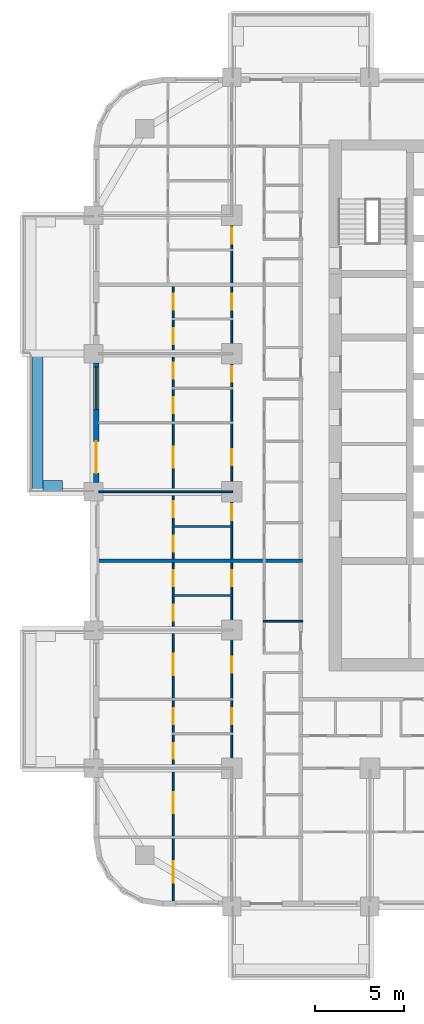
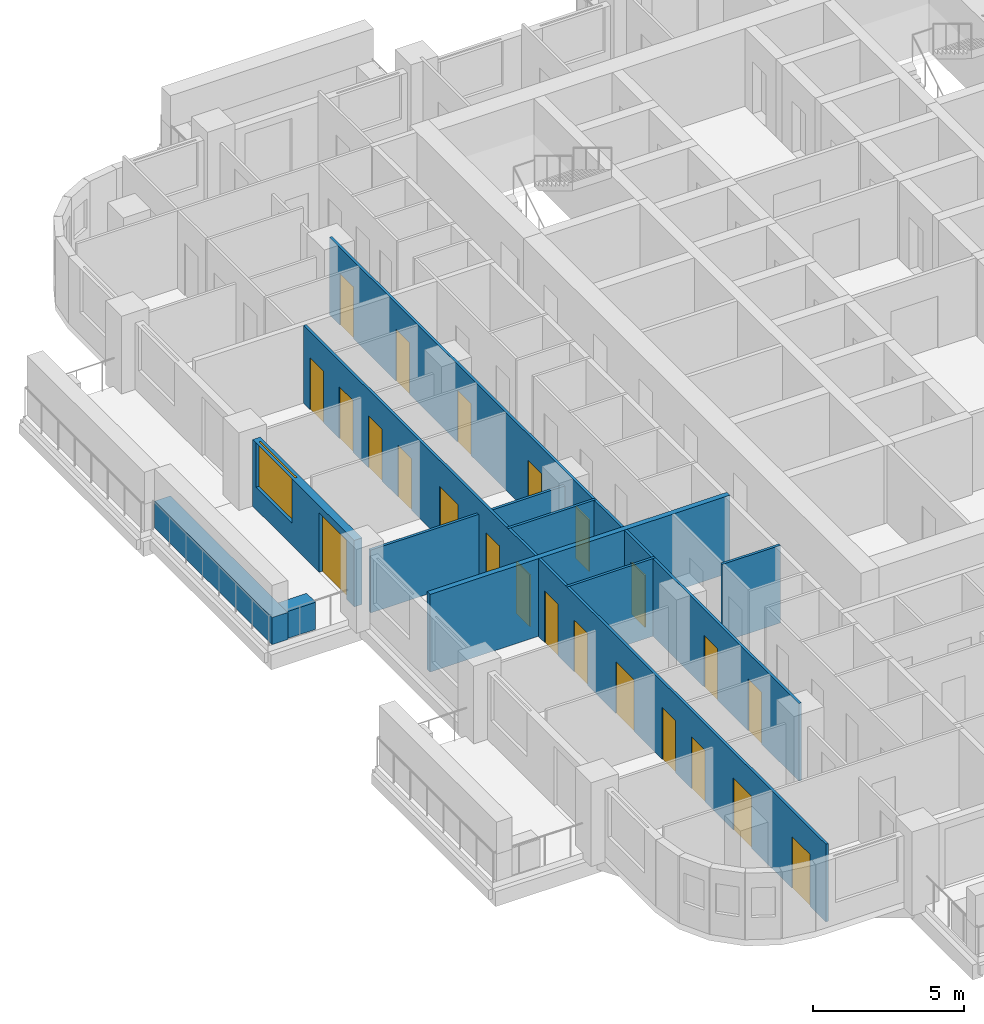
# One storey, part 5 of 18: 23 doors, 10 walls, 1 window, 24 openings.
"""IFC4 building model written with IfcOpenShell, lengths in metres."""

from ifc_helpers import new_model, si_unit, direction, frame, frame_2d, origin, place, context, subcontext, project, spatial, rectangle, extrude, material, layer, layer_set, type_object, element, fill, save


model = new_model("IFC4")

# Units and contexts
model_context = context("Model", 3, precision=1e-05, world=origin(), true_north=direction((0.0, 1.0)))
body_context = subcontext(model_context, "Body", "Model", "MODEL_VIEW")
ifc_project = project(units=[si_unit("LENGTHUNIT", "METRE"), si_unit("AREAUNIT", "SQUARE_METRE"), si_unit("VOLUMEUNIT", "CUBIC_METRE"), si_unit("PLANEANGLEUNIT", "RADIAN"), si_unit("MASSUNIT", "GRAM", prefix="KILO")], contexts=[model_context])

# Site, building, storey
site_placement = place(None, origin())
site = spatial("IfcSite", under=ifc_project, at=site_placement, CompositionType="ELEMENT")
building_placement = place(site_placement, origin())
building = spatial("IfcBuilding", under=site, at=building_placement, Name="Ludao Terraces", CompositionType="ELEMENT")
storey_placement = place(building_placement, frame((0.0, 0.0, 33.10009765625)))
storey = spatial("IfcBuildingStorey", under=building, at=storey_placement, Name="L08", CompositionType="ELEMENT", Elevation=33.10009765625)

# Walls
ifc_material_1 = material(Name="Concrete C40", Category="concrete")
ifc_layer_1 = layer(ifc_material_1, 0.60009765625)
ifc_layer_set_1 = layer_set([ifc_layer_1], Name="ENV Planter trough 600")
wall_type_1 = type_object("IfcWallType", Name="ENV Planter trough 600", PredefinedType="USERDEFINED", material=ifc_layer_set_1)
wall_1_placement = place(storey_placement, frame((58.449951171875, 65.0, 0.0), z_axis=(0.0, 0.0, 1.0), x_axis=(0.0, 1.0, 0.0)))
element("IfcWall", 1, at=wall_1_placement, inside=storey, type_object=wall_type_1, Name="PL-L08-W3", ObjectType="PLANTER", PredefinedType="USERDEFINED", context=body_context, shape_type="SweptSolid", body=[
    extrude(rectangle(XDim=7.800048828125, YDim=0.60009765625, at=frame_2d((3.89990234375, 0.0))), origin(), (0.0, 0.0, 1.0), 1.099853515625),
])
wall_2_placement = place(storey_placement, frame((58.75, 65.35009765625, 0.0), z_axis=(0.0, 0.0, 1.0), x_axis=(1.0, 0.0, 0.0)))
element("IfcWall", 2, at=wall_2_placement, inside=storey, type_object=wall_type_1, Name="PL-L08-W3-SA", ObjectType="PLANTER", PredefinedType="USERDEFINED", context=body_context, shape_type="SweptSolid", body=[
    extrude(rectangle(XDim=1.10009765625, YDim=0.60009765625, at=frame_2d((0.550048828125, 0.0))), origin(), (0.0, 0.0, 1.0), 1.099853515625),
])

# Wall, openings, door, window
ifc_material_2 = material(Name="Granite cladding", Category="masonry")
ifc_layer_2 = layer(ifc_material_2, 0.0400390625, Category="stone")
ifc_material_3 = material(Name="Mineral wool")
ifc_layer_3 = layer(ifc_material_3, 0.06005859375)
ifc_layer_4 = layer(ifc_material_1, 0.199951171875, Category="concrete")
ifc_layer_set_2 = layer_set([ifc_layer_2, ifc_layer_3, ifc_layer_4], Name="ENV Stone-clad wall 300")
wall_type_2 = type_object("IfcWallType", Name="ENV Stone-clad wall 300", PredefinedType="SOLIDWALL", material=ifc_layer_set_2)
wall_3_placement = place(storey_placement, frame((61.75, 65.52490234375, 0.0), z_axis=(0.0, 0.0, 1.0), x_axis=(0.0, 1.0, 0.0)))
wall_3 = element("IfcWall", 3, at=wall_3_placement, inside=storey, type_object=wall_type_2, Name="EW-L08-W4", PredefinedType="SOLIDWALL", context=body_context, shape_type="SweptSolid", body=[
    extrude(rectangle(XDim=6.75, YDim=0.300048828125, at=frame_2d((3.375, 0.0))), origin(), (0.0, 0.0, 1.0), 2.699951171875),
])
opening_1_placement = place(wall_3_placement, frame((0.52490234375, 0.0, 0.0)))
opening_1 = element("IfcOpeningElement", 4, at=opening_1_placement, cuts=wall_3, Name="Opening BD", PredefinedType="OPENING", context=body_context, shape_type="SweptSolid", body=[
    extrude(rectangle(XDim=1.800048828125, YDim=2.39990234375, at=frame_2d((0.89990234375, 1.199951171875))), frame((0.0, 0.16015625, 0.0), z_axis=(0.0, -1.0, 0.0), x_axis=(1.0, 0.0, 0.0)), (0.0, 0.0, 1.0), 0.320068359375),
])
opening_2_placement = place(wall_3_placement, frame((4.125, 0.0, 0.89990234375)))
opening_2 = element("IfcOpeningElement", 5, at=opening_2_placement, cuts=wall_3, Name="Opening W1", PredefinedType="OPENING", context=body_context, shape_type="SweptSolid", body=[
    extrude(rectangle(XDim=2.39990234375, YDim=1.800048828125, at=frame_2d((1.199951171875, 0.89990234375))), frame((0.0, 0.16015625, 0.0), z_axis=(0.0, -1.0, 0.0), x_axis=(1.0, 0.0, 0.0)), (0.0, 0.0, 1.0), 0.320068359375),
])
ifc_material_4 = material(Name="Aluminium glazed door", Category="aluminium")
ifc_layer_5 = layer(ifc_material_4, 0.06005859375)
ifc_layer_set_3 = layer_set([ifc_layer_5], Name="ENV Balcony door BD 1800x2400")
door_type_1 = type_object("IfcDoorType", Name="ENV Balcony door BD 1800x2400", OperationType="DOUBLE_DOOR_SINGLE_SWING", PredefinedType="DOOR", material=ifc_layer_set_3)
door_1_placement = place(opening_1_placement, origin())
door_1 = element("IfcDoor", 6, at=door_1_placement, inside=storey, type_object=door_type_1, Name="BD-L08-W4-1", OperationType="DOUBLE_DOOR_SINGLE_SWING", OverallHeight=2.39990234375, OverallWidth=1.800048828125, PredefinedType="DOOR", context=body_context, shape_type="SweptSolid", body=[
    extrude(rectangle(XDim=1.800048828125, YDim=2.39990234375, at=frame_2d((0.89990234375, 1.199951171875))), frame((0.0, 0.02490234375, 0.0), z_axis=(0.0, -1.0, 0.0), x_axis=(1.0, 0.0, 0.0)), (0.0, 0.0, 1.0), 0.050048828125),
])
fill(opening_1, door_1)
ifc_material_5 = material(Name="Clear glass in aluminium frame", Category="aluminium")
ifc_layer_6 = layer(ifc_material_5, 0.06005859375)
ifc_layer_set_4 = layer_set([ifc_layer_6], Name="ENV Window W1 2400x1800")
window_type = type_object("IfcWindowType", Name="ENV Window W1 2400x1800", PartitioningType="DOUBLE_PANEL_VERTICAL", PredefinedType="WINDOW", material=ifc_layer_set_4)
window_placement = place(opening_2_placement, origin())
window = element("IfcWindow", 7, at=window_placement, inside=storey, type_object=window_type, Name="W-L08-W4-2", OverallHeight=1.800048828125, OverallWidth=2.39990234375, PartitioningType="DOUBLE_PANEL_VERTICAL", PredefinedType="WINDOW", context=body_context, shape_type="SweptSolid", body=[
    extrude(rectangle(XDim=2.39990234375, YDim=1.800048828125, at=frame_2d((1.199951171875, 0.89990234375))), frame((0.0, 0.030029296875, 0.0), z_axis=(0.0, -1.0, 0.0), x_axis=(1.0, 0.0, 0.0)), (0.0, 0.0, 1.0), 0.06005859375),
])
fill(opening_2, window)

# Walls
ifc_material_6 = material(Name="Gypsum plasterboard", Category="gypsum")
ifc_layer_7 = layer(ifc_material_6, 0.012451171875, Category="gypsum")
ifc_layer_8 = layer(ifc_material_3, 0.06005859375, Name="insulation")
ifc_material_7 = material(Name="Steel Q235", Category="steel")
ifc_layer_9 = layer(ifc_material_7, 0.014892578125, Name="stud")
ifc_layer_10 = layer(ifc_material_6, 0.012451171875, Category="gypsum")
ifc_layer_set_5 = layer_set([ifc_layer_7, ifc_layer_8, ifc_layer_9, ifc_layer_10], Name="INT Partition 100")
wall_type_3 = type_object("IfcWallType", Name="INT Partition 100", PredefinedType="PARTITIONING", material=ifc_layer_set_5)
wall_4_placement = place(storey_placement, frame((71.18017578125, 57.699951171875, 0.0), z_axis=(0.0, 0.0, 1.0), x_axis=(1.0, 0.0, 0.0)))
element("IfcWall", 8, at=wall_4_placement, inside=storey, type_object=wall_type_3, Name="PW-L08-PW027", PredefinedType="PARTITIONING", context=body_context, shape_type="SweptSolid", body=[
    extrude(rectangle(XDim=2.219970703125, YDim=0.10009765625, at=frame_2d((1.10986328125, 0.0))), origin(), (0.0, 0.0, 1.0), 3.14990234375),
])
for number, where, z_axis, x_axis, name in (
    (9, (66.050048828125, 59.14990234375, 0.0), (0.0, 0.0, 1.0), (1.0, 0.0, 0.0), "PW-L08-PW029"),
    (10, (66.050048828125, 63.050048828125, 0.0), (0.0, 0.0, 1.0), (1.0, 0.0, 0.0), "PW-L08-PW034"),
):
    element("IfcWall", number, at=place(storey_placement, frame(where, z_axis=z_axis, x_axis=x_axis)), inside=storey, type_object=wall_type_3, Name=name, PredefinedType="PARTITIONING", context=body_context, shape_type="SweptSolid", body=[
        extrude(rectangle(XDim=3.400146484375, YDim=0.10009765625, at=frame_2d((1.7001953125, 0.0))), origin(), (0.0, 0.0, 1.0), 3.14990234375),
    ])
wall_5_placement = place(storey_placement, frame((61.900146484375, 65.0, 0.0), z_axis=(0.0, 0.0, 1.0), x_axis=(1.0, 0.0, 0.0)))
element("IfcWall", 11, at=wall_5_placement, inside=storey, type_object=wall_type_3, Name="PW-L08-PW038", PredefinedType="PARTITIONING", context=body_context, shape_type="SweptSolid", body=[
    extrude(rectangle(XDim=7.550048828125, YDim=0.10009765625, at=frame_2d((3.77490234375, 0.0))), origin(), (0.0, 0.0, 1.0), 2.5498046875),
])

# Wall, openings, doors
wall_6_placement = place(storey_placement, frame((66.10009765625, 41.900146484375, 0.0), z_axis=(0.0, 0.0, 1.0), x_axis=(0.0, 1.0, 0.0)))
wall_6 = element("IfcWall", 12, at=wall_6_placement, inside=storey, type_object=wall_type_3, Name="PW-L08-PW082", PredefinedType="PARTITIONING", context=body_context, shape_type="SweptSolid", body=[
    extrude(rectangle(XDim=34.699951171875, YDim=0.10009765625, at=frame_2d((17.35009765625, 0.0))), origin(), (0.0, 0.0, 1.0), 3.14990234375),
])
opening_3_placement = place(wall_6_placement, frame((1.050048828125, 0.0, 0.0)))
opening_3 = element("IfcOpeningElement", 13, at=opening_3_placement, cuts=wall_6, Name="Opening R02-001", PredefinedType="OPENING", context=body_context, shape_type="SweptSolid", body=[
    extrude(rectangle(XDim=1.199951171875, YDim=2.10009765625, at=frame_2d((0.60009765625, 1.050048828125))), frame((0.0, 0.06005859375, 0.0), z_axis=(0.0, -1.0, 0.0), x_axis=(1.0, 0.0, 0.0)), (0.0, 0.0, 1.0), 0.1201171875),
])
opening_4_placement = place(wall_6_placement, frame((4.949951171875, 0.0, 0.0)))
opening_4 = element("IfcOpeningElement", 14, at=opening_4_placement, cuts=wall_6, Name="Opening R02-018", PredefinedType="OPENING", context=body_context, shape_type="SweptSolid", body=[
    extrude(rectangle(XDim=1.199951171875, YDim=2.10009765625, at=frame_2d((0.60009765625, 1.050048828125))), frame((0.0, 0.06005859375, 0.0), z_axis=(0.0, -1.0, 0.0), x_axis=(1.0, 0.0, 0.0)), (0.0, 0.0, 1.0), 0.1201171875),
])
opening_5_placement = place(wall_6_placement, frame((8.02490234375, 0.0, 0.0)))
opening_5 = element("IfcOpeningElement", 15, at=opening_5_placement, cuts=wall_6, Name="Opening R02-030", PredefinedType="OPENING", context=body_context, shape_type="SweptSolid", body=[
    extrude(rectangle(XDim=0.89990234375, YDim=2.10009765625, at=frame_2d((0.449951171875, 1.050048828125))), frame((0.0, 0.06005859375, 0.0), z_axis=(0.0, -1.0, 0.0), x_axis=(1.0, 0.0, 0.0)), (0.0, 0.0, 1.0), 0.1201171875),
])
opening_6_placement = place(wall_6_placement, frame((9.97509765625, 0.0, 0.0)))
opening_6 = element("IfcOpeningElement", 16, at=opening_6_placement, cuts=wall_6, Name="Opening R02-043", PredefinedType="OPENING", context=body_context, shape_type="SweptSolid", body=[
    extrude(rectangle(XDim=0.89990234375, YDim=2.10009765625, at=frame_2d((0.449951171875, 1.050048828125))), frame((0.0, 0.06005859375, 0.0), z_axis=(0.0, -1.0, 0.0), x_axis=(1.0, 0.0, 0.0)), (0.0, 0.0, 1.0), 0.1201171875),
])
opening_7_placement = place(wall_6_placement, frame((12.75, 0.0, 0.0)))
opening_7 = element("IfcOpeningElement", 17, at=opening_7_placement, cuts=wall_6, Name="Opening R02-051", PredefinedType="OPENING", context=body_context, shape_type="SweptSolid", body=[
    extrude(rectangle(XDim=1.199951171875, YDim=2.10009765625, at=frame_2d((0.60009765625, 1.050048828125))), frame((0.0, 0.06005859375, 0.0), z_axis=(0.0, -1.0, 0.0), x_axis=(1.0, 0.0, 0.0)), (0.0, 0.0, 1.0), 0.1201171875),
])
opening_8_placement = place(wall_6_placement, frame((15.824951171875, 0.0, 0.0)))
opening_8 = element("IfcOpeningElement", 18, at=opening_8_placement, cuts=wall_6, Name="Opening R02-063", PredefinedType="OPENING", context=body_context, shape_type="SweptSolid", body=[
    extrude(rectangle(XDim=0.89990234375, YDim=2.10009765625, at=frame_2d((0.449951171875, 1.050048828125))), frame((0.0, 0.06005859375, 0.0), z_axis=(0.0, -1.0, 0.0), x_axis=(1.0, 0.0, 0.0)), (0.0, 0.0, 1.0), 0.1201171875),
])
opening_9_placement = place(wall_6_placement, frame((17.77490234375, 0.0, 0.0)))
opening_9 = element("IfcOpeningElement", 19, at=opening_9_placement, cuts=wall_6, Name="Opening R02-067", PredefinedType="OPENING", context=body_context, shape_type="SweptSolid", body=[
    extrude(rectangle(XDim=0.89990234375, YDim=2.10009765625, at=frame_2d((0.449951171875, 1.050048828125))), frame((0.0, 0.06005859375, 0.0), z_axis=(0.0, -1.0, 0.0), x_axis=(1.0, 0.0, 0.0)), (0.0, 0.0, 1.0), 0.1201171875),
])
opening_10_placement = place(wall_6_placement, frame((19.72509765625, 0.0, 0.0)))
opening_10 = element("IfcOpeningElement", 20, at=opening_10_placement, cuts=wall_6, Name="Opening R02-072", PredefinedType="OPENING", context=body_context, shape_type="SweptSolid", body=[
    extrude(rectangle(XDim=0.89990234375, YDim=2.10009765625, at=frame_2d((0.449951171875, 1.050048828125))), frame((0.0, 0.06005859375, 0.0), z_axis=(0.0, -1.0, 0.0), x_axis=(1.0, 0.0, 0.0)), (0.0, 0.0, 1.0), 0.1201171875),
])
opening_11_placement = place(wall_6_placement, frame((21.675048828125, 0.0, 0.0)))
opening_11 = element("IfcOpeningElement", 21, at=opening_11_placement, cuts=wall_6, Name="Opening R02-081", PredefinedType="OPENING", context=body_context, shape_type="SweptSolid", body=[
    extrude(rectangle(XDim=0.89990234375, YDim=2.10009765625, at=frame_2d((0.449951171875, 1.050048828125))), frame((0.0, 0.06005859375, 0.0), z_axis=(0.0, -1.0, 0.0), x_axis=(1.0, 0.0, 0.0)), (0.0, 0.0, 1.0), 0.1201171875),
])
opening_12_placement = place(wall_6_placement, frame((24.449951171875, 0.0, 0.0)))
opening_12 = element("IfcOpeningElement", 22, at=opening_12_placement, cuts=wall_6, Name="Opening R02-089", PredefinedType="OPENING", context=body_context, shape_type="SweptSolid", body=[
    extrude(rectangle(XDim=1.199951171875, YDim=2.10009765625, at=frame_2d((0.60009765625, 1.050048828125))), frame((0.0, 0.06005859375, 0.0), z_axis=(0.0, -1.0, 0.0), x_axis=(1.0, 0.0, 0.0)), (0.0, 0.0, 1.0), 0.1201171875),
])
opening_13_placement = place(wall_6_placement, frame((27.52490234375, 0.0, 0.0)))
opening_13 = element("IfcOpeningElement", 23, at=opening_13_placement, cuts=wall_6, Name="Opening R02-100", PredefinedType="OPENING", context=body_context, shape_type="SweptSolid", body=[
    extrude(rectangle(XDim=0.89990234375, YDim=2.10009765625, at=frame_2d((0.449951171875, 1.050048828125))), frame((0.0, 0.06005859375, 0.0), z_axis=(0.0, -1.0, 0.0), x_axis=(1.0, 0.0, 0.0)), (0.0, 0.0, 1.0), 0.1201171875),
])
opening_14_placement = place(wall_6_placement, frame((29.47509765625, 0.0, 0.0)))
opening_14 = element("IfcOpeningElement", 24, at=opening_14_placement, cuts=wall_6, Name="Opening R02-106", PredefinedType="OPENING", context=body_context, shape_type="SweptSolid", body=[
    extrude(rectangle(XDim=0.89990234375, YDim=2.10009765625, at=frame_2d((0.449951171875, 1.050048828125))), frame((0.0, 0.06005859375, 0.0), z_axis=(0.0, -1.0, 0.0), x_axis=(1.0, 0.0, 0.0)), (0.0, 0.0, 1.0), 0.1201171875),
])
opening_15_placement = place(wall_6_placement, frame((31.425048828125, 0.0, 0.0)))
opening_15 = element("IfcOpeningElement", 25, at=opening_15_placement, cuts=wall_6, Name="Opening R02-113", PredefinedType="OPENING", context=body_context, shape_type="SweptSolid", body=[
    extrude(rectangle(XDim=0.89990234375, YDim=2.10009765625, at=frame_2d((0.449951171875, 1.050048828125))), frame((0.0, 0.06005859375, 0.0), z_axis=(0.0, -1.0, 0.0), x_axis=(1.0, 0.0, 0.0)), (0.0, 0.0, 1.0), 0.1201171875),
])
opening_16_placement = place(wall_6_placement, frame((33.375, 0.0, 0.0)))
opening_16 = element("IfcOpeningElement", 26, at=opening_16_placement, cuts=wall_6, Name="Opening R02-122", PredefinedType="OPENING", context=body_context, shape_type="SweptSolid", body=[
    extrude(rectangle(XDim=0.89990234375, YDim=2.10009765625, at=frame_2d((0.449951171875, 1.050048828125))), frame((0.0, 0.06005859375, 0.0), z_axis=(0.0, -1.0, 0.0), x_axis=(1.0, 0.0, 0.0)), (0.0, 0.0, 1.0), 0.1201171875),
])
ifc_material_8 = material(Name="Timber door leaf", Category="wood")
door_type_2 = type_object("IfcDoorType", Name="INT Bathroom door 900", OperationType="SINGLE_SWING_LEFT", PredefinedType="DOOR", material=ifc_material_8)
door_2_placement = place(opening_5_placement, origin())
door_2 = element("IfcDoor", 27, at=door_2_placement, inside=storey, type_object=door_type_2, Name="DOOR 030", OperationType="SINGLE_SWING_RIGHT", OverallHeight=2.10009765625, OverallWidth=0.89990234375, PredefinedType="DOOR", context=body_context, shape_type="SweptSolid", body=[
    extrude(rectangle(XDim=0.89990234375, YDim=2.10009765625, at=frame_2d((0.449951171875, 1.050048828125))), frame((0.0, 0.02490234375, 0.0), z_axis=(0.0, -1.0, 0.0), x_axis=(1.0, 0.0, 0.0)), (0.0, 0.0, 1.0), 0.050048828125),
])
fill(opening_5, door_2)
door_3_placement = place(opening_8_placement, origin())
door_3 = element("IfcDoor", 28, at=door_3_placement, inside=storey, type_object=door_type_2, Name="DOOR 063", OperationType="SINGLE_SWING_LEFT", OverallHeight=2.10009765625, OverallWidth=0.89990234375, PredefinedType="DOOR", context=body_context, shape_type="SweptSolid", body=[
    extrude(rectangle(XDim=0.89990234375, YDim=2.10009765625, at=frame_2d((0.449951171875, 1.050048828125))), frame((0.0, 0.02490234375, 0.0), z_axis=(0.0, -1.0, 0.0), x_axis=(1.0, 0.0, 0.0)), (0.0, 0.0, 1.0), 0.050048828125),
])
fill(opening_8, door_3)
door_4_placement = place(opening_10_placement, origin())
door_4 = element("IfcDoor", 29, at=door_4_placement, inside=storey, type_object=door_type_2, Name="DOOR 072", OperationType="SINGLE_SWING_RIGHT", OverallHeight=2.10009765625, OverallWidth=0.89990234375, PredefinedType="DOOR", context=body_context, shape_type="SweptSolid", body=[
    extrude(rectangle(XDim=0.89990234375, YDim=2.10009765625, at=frame_2d((0.449951171875, 1.050048828125))), frame((0.0, 0.02490234375, 0.0), z_axis=(0.0, -1.0, 0.0), x_axis=(1.0, 0.0, 0.0)), (0.0, 0.0, 1.0), 0.050048828125),
])
fill(opening_10, door_4)
door_5_placement = place(opening_13_placement, origin())
door_5 = element("IfcDoor", 30, at=door_5_placement, inside=storey, type_object=door_type_2, Name="DOOR 100", OperationType="SINGLE_SWING_RIGHT", OverallHeight=2.10009765625, OverallWidth=0.89990234375, PredefinedType="DOOR", context=body_context, shape_type="SweptSolid", body=[
    extrude(rectangle(XDim=0.89990234375, YDim=2.10009765625, at=frame_2d((0.449951171875, 1.050048828125))), frame((0.0, 0.02490234375, 0.0), z_axis=(0.0, -1.0, 0.0), x_axis=(1.0, 0.0, 0.0)), (0.0, 0.0, 1.0), 0.050048828125),
])
fill(opening_13, door_5)
door_6_placement = place(opening_15_placement, origin())
door_6 = element("IfcDoor", 31, at=door_6_placement, inside=storey, type_object=door_type_2, Name="DOOR 113", OperationType="SINGLE_SWING_RIGHT", OverallHeight=2.10009765625, OverallWidth=0.89990234375, PredefinedType="DOOR", context=body_context, shape_type="SweptSolid", body=[
    extrude(rectangle(XDim=0.89990234375, YDim=2.10009765625, at=frame_2d((0.449951171875, 1.050048828125))), frame((0.0, 0.02490234375, 0.0), z_axis=(0.0, -1.0, 0.0), x_axis=(1.0, 0.0, 0.0)), (0.0, 0.0, 1.0), 0.050048828125),
])
fill(opening_15, door_6)
door_type_3 = type_object("IfcDoorType", Name="INT Double door 1200", OperationType="DOUBLE_DOOR_SINGLE_SWING", PredefinedType="DOOR", material=ifc_material_8)
door_7_placement = place(opening_3_placement, origin())
door_7 = element("IfcDoor", 32, at=door_7_placement, inside=storey, type_object=door_type_3, Name="DOOR 001", OperationType="DOUBLE_DOOR_SINGLE_SWING", OverallHeight=2.10009765625, OverallWidth=1.199951171875, PredefinedType="DOOR", context=body_context, shape_type="SweptSolid", body=[
    extrude(rectangle(XDim=1.199951171875, YDim=2.10009765625, at=frame_2d((0.60009765625, 1.050048828125))), frame((0.0, 0.02490234375, 0.0), z_axis=(0.0, -1.0, 0.0), x_axis=(1.0, 0.0, 0.0)), (0.0, 0.0, 1.0), 0.050048828125),
])
fill(opening_3, door_7)
door_8_placement = place(opening_4_placement, origin())
door_8 = element("IfcDoor", 33, at=door_8_placement, inside=storey, type_object=door_type_3, Name="DOOR 018", OperationType="DOUBLE_DOOR_SINGLE_SWING", OverallHeight=2.10009765625, OverallWidth=1.199951171875, PredefinedType="DOOR", context=body_context, shape_type="SweptSolid", body=[
    extrude(rectangle(XDim=1.199951171875, YDim=2.10009765625, at=frame_2d((0.60009765625, 1.050048828125))), frame((0.0, 0.02490234375, 0.0), z_axis=(0.0, -1.0, 0.0), x_axis=(1.0, 0.0, 0.0)), (0.0, 0.0, 1.0), 0.050048828125),
])
fill(opening_4, door_8)
door_9_placement = place(opening_7_placement, origin())
door_9 = element("IfcDoor", 34, at=door_9_placement, inside=storey, type_object=door_type_3, Name="DOOR 051", OperationType="DOUBLE_DOOR_SINGLE_SWING", OverallHeight=2.10009765625, OverallWidth=1.199951171875, PredefinedType="DOOR", context=body_context, shape_type="SweptSolid", body=[
    extrude(rectangle(XDim=1.199951171875, YDim=2.10009765625, at=frame_2d((0.60009765625, 1.050048828125))), frame((0.0, 0.02490234375, 0.0), z_axis=(0.0, -1.0, 0.0), x_axis=(1.0, 0.0, 0.0)), (0.0, 0.0, 1.0), 0.050048828125),
])
fill(opening_7, door_9)
door_10_placement = place(opening_12_placement, origin())
door_10 = element("IfcDoor", 35, at=door_10_placement, inside=storey, type_object=door_type_3, Name="DOOR 089", OperationType="DOUBLE_DOOR_SINGLE_SWING", OverallHeight=2.10009765625, OverallWidth=1.199951171875, PredefinedType="DOOR", context=body_context, shape_type="SweptSolid", body=[
    extrude(rectangle(XDim=1.199951171875, YDim=2.10009765625, at=frame_2d((0.60009765625, 1.050048828125))), frame((0.0, 0.02490234375, 0.0), z_axis=(0.0, -1.0, 0.0), x_axis=(1.0, 0.0, 0.0)), (0.0, 0.0, 1.0), 0.050048828125),
])
fill(opening_12, door_10)
door_type_4 = type_object("IfcDoorType", Name="INT Room door 900", OperationType="SINGLE_SWING_LEFT", PredefinedType="DOOR", material=ifc_material_8)
door_11_placement = place(opening_6_placement, origin())
door_11 = element("IfcDoor", 36, at=door_11_placement, inside=storey, type_object=door_type_4, Name="DOOR 043", OperationType="SINGLE_SWING_RIGHT", OverallHeight=2.10009765625, OverallWidth=0.89990234375, PredefinedType="DOOR", context=body_context, shape_type="SweptSolid", body=[
    extrude(rectangle(XDim=0.89990234375, YDim=2.10009765625, at=frame_2d((0.449951171875, 1.050048828125))), frame((0.0, 0.02490234375, 0.0), z_axis=(0.0, -1.0, 0.0), x_axis=(1.0, 0.0, 0.0)), (0.0, 0.0, 1.0), 0.050048828125),
])
fill(opening_6, door_11)
door_12_placement = place(opening_9_placement, origin())
door_12 = element("IfcDoor", 37, at=door_12_placement, inside=storey, type_object=door_type_4, Name="DOOR 067", OperationType="SINGLE_SWING_LEFT", OverallHeight=2.10009765625, OverallWidth=0.89990234375, PredefinedType="DOOR", context=body_context, shape_type="SweptSolid", body=[
    extrude(rectangle(XDim=0.89990234375, YDim=2.10009765625, at=frame_2d((0.449951171875, 1.050048828125))), frame((0.0, 0.02490234375, 0.0), z_axis=(0.0, -1.0, 0.0), x_axis=(1.0, 0.0, 0.0)), (0.0, 0.0, 1.0), 0.050048828125),
])
fill(opening_9, door_12)
door_13_placement = place(opening_11_placement, origin())
door_13 = element("IfcDoor", 38, at=door_13_placement, inside=storey, type_object=door_type_4, Name="DOOR 081", OperationType="SINGLE_SWING_RIGHT", OverallHeight=2.10009765625, OverallWidth=0.89990234375, PredefinedType="DOOR", context=body_context, shape_type="SweptSolid", body=[
    extrude(rectangle(XDim=0.89990234375, YDim=2.10009765625, at=frame_2d((0.449951171875, 1.050048828125))), frame((0.0, 0.02490234375, 0.0), z_axis=(0.0, -1.0, 0.0), x_axis=(1.0, 0.0, 0.0)), (0.0, 0.0, 1.0), 0.050048828125),
])
fill(opening_11, door_13)
door_14_placement = place(opening_14_placement, origin())
door_14 = element("IfcDoor", 39, at=door_14_placement, inside=storey, type_object=door_type_4, Name="DOOR 106", OperationType="SINGLE_SWING_LEFT", OverallHeight=2.10009765625, OverallWidth=0.89990234375, PredefinedType="DOOR", context=body_context, shape_type="SweptSolid", body=[
    extrude(rectangle(XDim=0.89990234375, YDim=2.10009765625, at=frame_2d((0.449951171875, 1.050048828125))), frame((0.0, 0.02490234375, 0.0), z_axis=(0.0, -1.0, 0.0), x_axis=(1.0, 0.0, 0.0)), (0.0, 0.0, 1.0), 0.050048828125),
])
fill(opening_14, door_14)
door_15_placement = place(opening_16_placement, origin())
door_15 = element("IfcDoor", 40, at=door_15_placement, inside=storey, type_object=door_type_4, Name="DOOR 122", OperationType="SINGLE_SWING_LEFT", OverallHeight=2.10009765625, OverallWidth=0.89990234375, PredefinedType="DOOR", context=body_context, shape_type="SweptSolid", body=[
    extrude(rectangle(XDim=0.89990234375, YDim=2.10009765625, at=frame_2d((0.449951171875, 1.050048828125))), frame((0.0, 0.02490234375, 0.0), z_axis=(0.0, -1.0, 0.0), x_axis=(1.0, 0.0, 0.0)), (0.0, 0.0, 1.0), 0.050048828125),
])
fill(opening_16, door_15)

wall_7_placement = place(storey_placement, frame((69.39990234375, 49.39990234375, 0.0), z_axis=(0.0, 0.0, 1.0), x_axis=(0.0, 1.0, 0.0)))
wall_7 = element("IfcWall", 41, at=wall_7_placement, inside=storey, type_object=wall_type_3, Name="PW-L08-PW083-2", PredefinedType="PARTITIONING", context=body_context, shape_type="SweptSolid", body=[
    extrude(rectangle(XDim=31.2001953125, YDim=0.10009765625, at=frame_2d((15.60009765625, 0.0))), origin(), (0.0, 0.0, 1.0), 3.14990234375),
])
opening_17_placement = place(wall_7_placement, frame((2.47509765625, 0.0, 0.0)))
opening_17 = element("IfcOpeningElement", 42, at=opening_17_placement, cuts=wall_7, Name="Opening R02-044", PredefinedType="OPENING", context=body_context, shape_type="SweptSolid", body=[
    extrude(rectangle(XDim=0.89990234375, YDim=2.10009765625, at=frame_2d((0.449951171875, 1.050048828125))), frame((0.0, 0.06005859375, 0.0), z_axis=(0.0, -1.0, 0.0), x_axis=(1.0, 0.0, 0.0)), (0.0, 0.0, 1.0), 0.1201171875),
])
opening_18_placement = place(wall_7_placement, frame((5.400146484375, 0.0, 0.0)))
opening_18 = element("IfcOpeningElement", 43, at=opening_18_placement, cuts=wall_7, Name="Opening R02-052", PredefinedType="OPENING", context=body_context, shape_type="SweptSolid", body=[
    extrude(rectangle(XDim=0.89990234375, YDim=2.10009765625, at=frame_2d((0.449951171875, 1.050048828125))), frame((0.0, 0.06005859375, 0.0), z_axis=(0.0, -1.0, 0.0), x_axis=(1.0, 0.0, 0.0)), (0.0, 0.0, 1.0), 0.1201171875),
])
opening_19_placement = place(wall_7_placement, frame((10.275146484375, 0.0, 0.0)))
opening_19 = element("IfcOpeningElement", 44, at=opening_19_placement, cuts=wall_7, Name="Opening R02-068", PredefinedType="OPENING", context=body_context, shape_type="SweptSolid", body=[
    extrude(rectangle(XDim=0.89990234375, YDim=2.10009765625, at=frame_2d((0.449951171875, 1.050048828125))), frame((0.0, 0.06005859375, 0.0), z_axis=(0.0, -1.0, 0.0), x_axis=(1.0, 0.0, 0.0)), (0.0, 0.0, 1.0), 0.1201171875),
])
opening_20_placement = place(wall_7_placement, frame((14.000244140625, 0.0, 0.0)))
opening_20 = element("IfcOpeningElement", 45, at=opening_20_placement, cuts=wall_7, Name="Opening R02-079", PredefinedType="OPENING", context=body_context, shape_type="SweptSolid", body=[
    extrude(rectangle(XDim=0.89990234375, YDim=2.10009765625, at=frame_2d((0.449951171875, 1.050048828125))), frame((0.0, 0.06005859375, 0.0), z_axis=(0.0, -1.0, 0.0), x_axis=(1.0, 0.0, 0.0)), (0.0, 0.0, 1.0), 0.1201171875),
])
opening_21_placement = place(wall_7_placement, frame((17.10009765625, 0.0, 0.0)))
opening_21 = element("IfcOpeningElement", 46, at=opening_21_placement, cuts=wall_7, Name="Opening R02-090", PredefinedType="OPENING", context=body_context, shape_type="SweptSolid", body=[
    extrude(rectangle(XDim=0.89990234375, YDim=2.10009765625, at=frame_2d((0.449951171875, 1.050048828125))), frame((0.0, 0.06005859375, 0.0), z_axis=(0.0, -1.0, 0.0), x_axis=(1.0, 0.0, 0.0)), (0.0, 0.0, 1.0), 0.1201171875),
])
opening_22_placement = place(wall_7_placement, frame((21.80029296875, 0.0, 0.0)))
opening_22 = element("IfcOpeningElement", 47, at=opening_22_placement, cuts=wall_7, Name="Opening R02-105", PredefinedType="OPENING", context=body_context, shape_type="SweptSolid", body=[
    extrude(rectangle(XDim=0.89990234375, YDim=2.10009765625, at=frame_2d((0.449951171875, 1.050048828125))), frame((0.0, 0.06005859375, 0.0), z_axis=(0.0, -1.0, 0.0), x_axis=(1.0, 0.0, 0.0)), (0.0, 0.0, 1.0), 0.1201171875),
])
opening_23_placement = place(wall_7_placement, frame((25.875244140625, 0.0, 0.0)))
opening_23 = element("IfcOpeningElement", 48, at=opening_23_placement, cuts=wall_7, Name="Opening R02-123", PredefinedType="OPENING", context=body_context, shape_type="SweptSolid", body=[
    extrude(rectangle(XDim=0.89990234375, YDim=2.10009765625, at=frame_2d((0.449951171875, 1.050048828125))), frame((0.0, 0.06005859375, 0.0), z_axis=(0.0, -1.0, 0.0), x_axis=(1.0, 0.0, 0.0)), (0.0, 0.0, 1.0), 0.1201171875),
])
opening_24_placement = place(wall_7_placement, frame((29.60009765625, 0.0, 0.0)))
opening_24 = element("IfcOpeningElement", 49, at=opening_24_placement, cuts=wall_7, Name="Opening R02-135", PredefinedType="OPENING", context=body_context, shape_type="SweptSolid", body=[
    extrude(rectangle(XDim=0.89990234375, YDim=2.10009765625, at=frame_2d((0.449951171875, 1.050048828125))), frame((0.0, 0.06005859375, 0.0), z_axis=(0.0, -1.0, 0.0), x_axis=(1.0, 0.0, 0.0)), (0.0, 0.0, 1.0), 0.1201171875),
])
door_16_placement = place(opening_17_placement, origin())
door_16 = element("IfcDoor", 50, at=door_16_placement, inside=storey, type_object=door_type_4, Name="DOOR 044", OperationType="SINGLE_SWING_RIGHT", OverallHeight=2.10009765625, OverallWidth=0.89990234375, PredefinedType="DOOR", context=body_context, shape_type="SweptSolid", body=[
    extrude(rectangle(XDim=0.89990234375, YDim=2.10009765625, at=frame_2d((0.449951171875, 1.050048828125))), frame((0.0, 0.02490234375, 0.0), z_axis=(0.0, -1.0, 0.0), x_axis=(1.0, 0.0, 0.0)), (0.0, 0.0, 1.0), 0.050048828125),
])
fill(opening_17, door_16)
door_17_placement = place(opening_18_placement, origin())
door_17 = element("IfcDoor", 51, at=door_17_placement, inside=storey, type_object=door_type_4, Name="DOOR 052", OperationType="SINGLE_SWING_RIGHT", OverallHeight=2.10009765625, OverallWidth=0.89990234375, PredefinedType="DOOR", context=body_context, shape_type="SweptSolid", body=[
    extrude(rectangle(XDim=0.89990234375, YDim=2.10009765625, at=frame_2d((0.449951171875, 1.050048828125))), frame((0.0, 0.02490234375, 0.0), z_axis=(0.0, -1.0, 0.0), x_axis=(1.0, 0.0, 0.0)), (0.0, 0.0, 1.0), 0.050048828125),
])
fill(opening_18, door_17)
door_18_placement = place(opening_19_placement, origin())
door_18 = element("IfcDoor", 52, at=door_18_placement, inside=storey, type_object=door_type_4, Name="DOOR 068", OperationType="SINGLE_SWING_LEFT", OverallHeight=2.10009765625, OverallWidth=0.89990234375, PredefinedType="DOOR", context=body_context, shape_type="SweptSolid", body=[
    extrude(rectangle(XDim=0.89990234375, YDim=2.10009765625, at=frame_2d((0.449951171875, 1.050048828125))), frame((0.0, 0.02490234375, 0.0), z_axis=(0.0, -1.0, 0.0), x_axis=(1.0, 0.0, 0.0)), (0.0, 0.0, 1.0), 0.050048828125),
])
fill(opening_19, door_18)
door_19_placement = place(opening_20_placement, origin())
door_19 = element("IfcDoor", 53, at=door_19_placement, inside=storey, type_object=door_type_4, Name="DOOR 079", OperationType="SINGLE_SWING_LEFT", OverallHeight=2.10009765625, OverallWidth=0.89990234375, PredefinedType="DOOR", context=body_context, shape_type="SweptSolid", body=[
    extrude(rectangle(XDim=0.89990234375, YDim=2.10009765625, at=frame_2d((0.449951171875, 1.050048828125))), frame((0.0, 0.02490234375, 0.0), z_axis=(0.0, -1.0, 0.0), x_axis=(1.0, 0.0, 0.0)), (0.0, 0.0, 1.0), 0.050048828125),
])
fill(opening_20, door_19)
door_20_placement = place(opening_21_placement, origin())
door_20 = element("IfcDoor", 54, at=door_20_placement, inside=storey, type_object=door_type_4, Name="DOOR 090", OperationType="SINGLE_SWING_LEFT", OverallHeight=2.10009765625, OverallWidth=0.89990234375, PredefinedType="DOOR", context=body_context, shape_type="SweptSolid", body=[
    extrude(rectangle(XDim=0.89990234375, YDim=2.10009765625, at=frame_2d((0.449951171875, 1.050048828125))), frame((0.0, 0.02490234375, 0.0), z_axis=(0.0, -1.0, 0.0), x_axis=(1.0, 0.0, 0.0)), (0.0, 0.0, 1.0), 0.050048828125),
])
fill(opening_21, door_20)
door_21_placement = place(opening_22_placement, origin())
door_21 = element("IfcDoor", 55, at=door_21_placement, inside=storey, type_object=door_type_4, Name="DOOR 105", OperationType="SINGLE_SWING_LEFT", OverallHeight=2.10009765625, OverallWidth=0.89990234375, PredefinedType="DOOR", context=body_context, shape_type="SweptSolid", body=[
    extrude(rectangle(XDim=0.89990234375, YDim=2.10009765625, at=frame_2d((0.449951171875, 1.050048828125))), frame((0.0, 0.02490234375, 0.0), z_axis=(0.0, -1.0, 0.0), x_axis=(1.0, 0.0, 0.0)), (0.0, 0.0, 1.0), 0.050048828125),
])
fill(opening_22, door_21)
door_22_placement = place(opening_23_placement, origin())
door_22 = element("IfcDoor", 56, at=door_22_placement, inside=storey, type_object=door_type_4, Name="DOOR 123", OperationType="SINGLE_SWING_RIGHT", OverallHeight=2.10009765625, OverallWidth=0.89990234375, PredefinedType="DOOR", context=body_context, shape_type="SweptSolid", body=[
    extrude(rectangle(XDim=0.89990234375, YDim=2.10009765625, at=frame_2d((0.449951171875, 1.050048828125))), frame((0.0, 0.02490234375, 0.0), z_axis=(0.0, -1.0, 0.0), x_axis=(1.0, 0.0, 0.0)), (0.0, 0.0, 1.0), 0.050048828125),
])
fill(opening_23, door_22)
door_23_placement = place(opening_24_placement, origin())
door_23 = element("IfcDoor", 57, at=door_23_placement, inside=storey, type_object=door_type_4, Name="DOOR 135", OperationType="SINGLE_SWING_LEFT", OverallHeight=2.10009765625, OverallWidth=0.89990234375, PredefinedType="DOOR", context=body_context, shape_type="SweptSolid", body=[
    extrude(rectangle(XDim=0.89990234375, YDim=2.10009765625, at=frame_2d((0.449951171875, 1.050048828125))), frame((0.0, 0.02490234375, 0.0), z_axis=(0.0, -1.0, 0.0), x_axis=(1.0, 0.0, 0.0)), (0.0, 0.0, 1.0), 0.050048828125),
])
fill(opening_24, door_23)

# Wall
ifc_material_9 = material(Name="Autoclaved aerated concrete block B06 A3.5", Category="concrete")
ifc_layer_11 = layer(ifc_material_9, 0.199951171875)
ifc_layer_set_6 = layer_set([ifc_layer_11], Name="INT Party wall 200")
wall_type_4 = type_object("IfcWallType", Name="INT Party wall 200", PredefinedType="PARTITIONING", material=ifc_layer_set_6)
wall_8_placement = place(storey_placement, frame((61.900146484375, 61.10009765625, 0.0), z_axis=(0.0, 0.0, 1.0), x_axis=(1.0, 0.0, 0.0)))
element("IfcWall", 58, at=wall_8_placement, inside=storey, type_object=wall_type_4, Name="PW-L08-PW031", PredefinedType="PARTITIONING", context=body_context, shape_type="SweptSolid", body=[
    extrude(rectangle(XDim=11.5, YDim=0.199951171875, at=frame_2d((5.75, 0.0))), origin(), (0.0, 0.0, 1.0), 3.14990234375),
])

save(model, "model.ifc")
